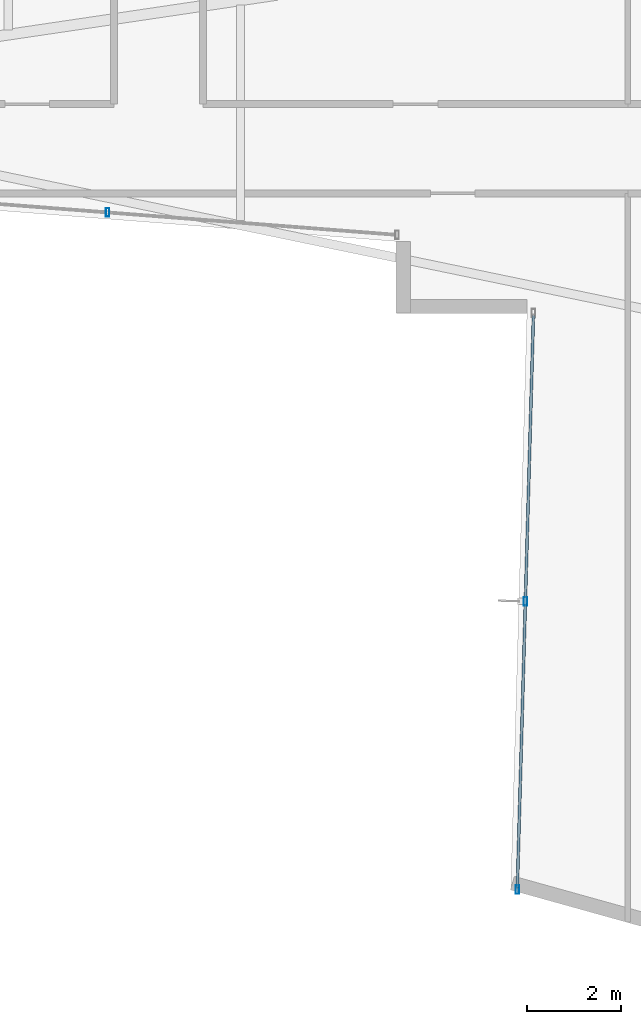
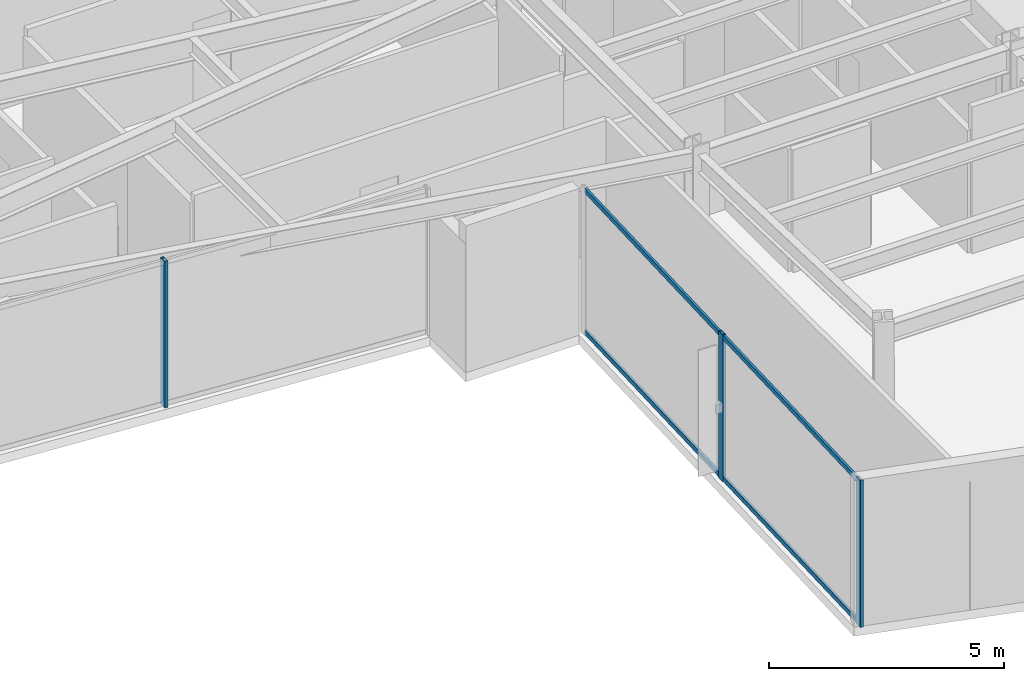
# One storey, part 4 of 29: 5 members, 2 elements without a shape of their own.
"""IFC4 building model written with IfcOpenShell, lengths in metres."""

from ifc_helpers import new_model, si_unit, direction, frame, origin, origin_2d, place, context, subcontext, project, spatial, hollow_rectangle, extrude, material, layer, layer_set, material_profile, profile_set, type_object, element, aggregate, save


model = new_model("IFC4")

# Units and contexts
model_context = context("Model", 3, precision=1e-05, world=origin(), true_north=direction((0.0, 1.0)))
body_context = subcontext(model_context, "Body", "Model", "MODEL_VIEW")
ifc_project = project(units=[si_unit("LENGTHUNIT", "METRE"), si_unit("AREAUNIT", "SQUARE_METRE"), si_unit("VOLUMEUNIT", "CUBIC_METRE"), si_unit("PLANEANGLEUNIT", "RADIAN"), si_unit("MASSUNIT", "GRAM", prefix="KILO")], contexts=[model_context])

# Site, building, storey
site_placement = place(None, origin())
site = spatial("IfcSite", under=ifc_project, at=site_placement, CompositionType="ELEMENT")
building_placement = place(site_placement, origin())
building = spatial("IfcBuilding", under=site, at=building_placement, Name="Veymaron Broadcast Tower", CompositionType="ELEMENT")
storey_placement = place(building_placement, frame((0.0, 0.0, 58.050048828125)))
storey = spatial("IfcBuildingStorey", under=building, at=storey_placement, Name="L12", CompositionType="ELEMENT", Elevation=58.050048828125)

# Curtain wall, member
ifc_material_1 = material(Name="Anodised aluminium AA 6063-T6 and laminated low-E dark glass", Category="aluminium")
ifc_layer = layer(ifc_material_1, 0.179931640625)
ifc_layer_set = layer_set([ifc_layer], Name="Anodised aluminium AA 6063-T6 and laminated low-E dark glass")
curtain_wall_type = type_object("IfcCurtainWallType", Name="CW-SYS-02", PredefinedType="NOTDEFINED", material=ifc_layer_set)
curtain_wall_1_placement = place(storey_placement, origin())
curtain_wall_1 = element("IfcCurtainWall", 1, at=curtain_wall_1_placement, inside=storey, type_object=curtain_wall_type, Name="L12 dark-glass curtain wall CW-L12-E14-1", PredefinedType="NOTDEFINED")
ifc_material_2 = material(Name="Anodised aluminium AA 6063-T6", Category="aluminium")
ifc_material_profile_1 = material_profile(ifc_material_2, hollow_rectangle(XDim=0.074951171875, YDim=0.179931640625, WallThickness=0.0048828125, at=origin_2d()), Name="AL180X75X5")
ifc_profile_set_1 = profile_set([ifc_material_profile_1], Name="Anodised aluminium AA 6063-T6")
member_type_1 = type_object("IfcMemberType", Name="CW-MUL-02", PredefinedType="MULLION", material=ifc_profile_set_1)
member_1_placement = place(storey_placement, frame((19.36279296875, 18.142333984375, 0.0), z_axis=(0.0, 0.0, 1.0), x_axis=(1.0, 0.0, 0.0)))
member_1 = element("IfcMember", 2, at=member_1_placement, type_object=member_type_1, Name="CW-L12-E14-1 mullion 2", PredefinedType="MULLION", context=body_context, shape_type="SweptSolid", body=[
    extrude(hollow_rectangle(XDim=0.074951171875, YDim=0.179931640625, WallThickness=0.0048828125, at=origin_2d()), origin(), (0.0, 0.0, 1.0), 3.81005859375),
])
aggregate(curtain_wall_1, [member_1])

# Curtain wall, members
curtain_wall_2_placement = place(storey_placement, origin())
curtain_wall_2 = element("IfcCurtainWall", 3, at=curtain_wall_2_placement, inside=storey, type_object=curtain_wall_type, Name="L12 dark-glass curtain wall CW-L12-E17-1", PredefinedType="NOTDEFINED")
member_2_placement = place(storey_placement, frame((28.2724609375, 9.84814453125, 0.0), z_axis=(0.0, 0.0, 1.0), x_axis=(1.0, 0.0, 0.0)))
member_2 = element("IfcMember", 4, at=member_2_placement, type_object=member_type_1, Name="CW-L12-E17-1 mullion 1", PredefinedType="MULLION", context=body_context, shape_type="SweptSolid", body=[
    extrude(hollow_rectangle(XDim=0.074951171875, YDim=0.179931640625, WallThickness=0.0048828125, at=origin_2d()), origin(), (0.0, 0.0, 1.0), 3.81005859375),
])
member_3_placement = place(storey_placement, frame((28.099609375, 3.7001953125, 0.0), z_axis=(0.0, 0.0, 1.0), x_axis=(1.0, 0.0, 0.0)))
member_3 = element("IfcMember", 5, at=member_3_placement, type_object=member_type_1, Name="CW-L12-E17-1 mullion 2", PredefinedType="MULLION", context=body_context, shape_type="SweptSolid", body=[
    extrude(hollow_rectangle(XDim=0.074951171875, YDim=0.179931640625, WallThickness=0.0048828125, at=origin_2d()), origin(), (0.0, 0.0, 1.0), 3.81005859375),
])
ifc_material_profile_2 = material_profile(ifc_material_2, hollow_rectangle(XDim=0.06005859375, YDim=0.1201171875, WallThickness=0.00390625, at=origin_2d()), Name="AL120X60X4")
ifc_profile_set_2 = profile_set([ifc_material_profile_2], Name="Anodised aluminium AA 6063-T6")
member_type_2 = type_object("IfcMemberType", Name="CW-TRN-02", PredefinedType="USERDEFINED", material=ifc_profile_set_2)
member_4_placement = place(storey_placement, frame((28.444091796875, 15.946044921875, 0.070068359375), z_axis=(-0.028134189619, -0.999604155341, 0.0), x_axis=(0.999604155341, -0.028134189619, 0.0)))
member_4 = element("IfcMember", 6, at=member_4_placement, type_object=member_type_2, Name="CW-L12-E17-1 transom B", ObjectType="TRANSOM", PredefinedType="USERDEFINED", context=body_context, shape_type="SweptSolid", body=[
    extrude(hollow_rectangle(XDim=0.06005859375, YDim=0.1201171875, WallThickness=0.00390625, at=origin_2d()), origin(), (0.0, 0.0, 1.0), 12.200927734375),
])
member_5_placement = place(storey_placement, frame((28.444091796875, 15.946044921875, 3.739990234375), z_axis=(-0.028134189619, -0.999604155341, 0.0), x_axis=(0.999604155341, -0.028134189619, 0.0)))
member_5 = element("IfcMember", 7, at=member_5_placement, type_object=member_type_2, Name="CW-L12-E17-1 transom T", ObjectType="TRANSOM", PredefinedType="USERDEFINED", context=body_context, shape_type="SweptSolid", body=[
    extrude(hollow_rectangle(XDim=0.06005859375, YDim=0.1201171875, WallThickness=0.00390625, at=origin_2d()), origin(), (0.0, 0.0, 1.0), 12.200927734375),
])
aggregate(curtain_wall_2, [member_2, member_3, member_4, member_5])

save(model, "model.ifc")
